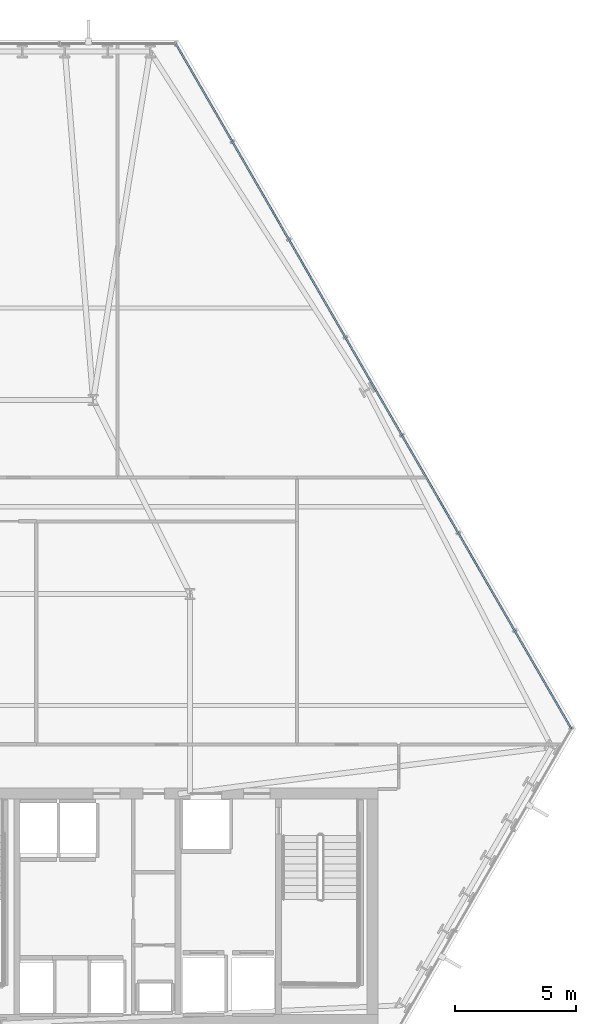
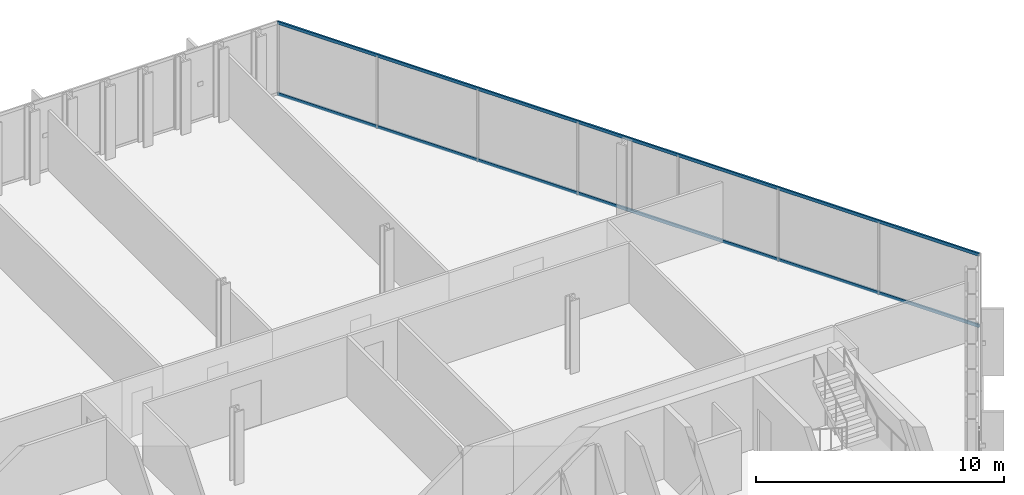
# One storey, part 20 of 33: 2 members, 1 element without a shape of its own.
"""IFC4 building model written with IfcOpenShell, lengths in metres."""

from ifc_helpers import new_model, si_unit, direction, frame, origin, origin_2d, place, context, subcontext, project, spatial, hollow_rectangle, extrude, material, layer, layer_set, material_profile, profile_set, type_object, element, aggregate, save


model = new_model("IFC4")

# Units and contexts
model_context = context("Model", 3, precision=1e-05, world=origin(), true_north=direction((0.0, 1.0)))
body_context = subcontext(model_context, "Body", "Model", "MODEL_VIEW")
ifc_project = project(units=[si_unit("LENGTHUNIT", "METRE"), si_unit("AREAUNIT", "SQUARE_METRE"), si_unit("VOLUMEUNIT", "CUBIC_METRE"), si_unit("PLANEANGLEUNIT", "RADIAN"), si_unit("MASSUNIT", "GRAM", prefix="KILO")], contexts=[model_context])

# Site, building, storey
site_placement = place(None, origin())
site = spatial("IfcSite", under=ifc_project, at=site_placement, CompositionType="ELEMENT")
building_placement = place(site_placement, origin())
building = spatial("IfcBuilding", under=site, at=building_placement, Name="Ndaravel Arena Tower", CompositionType="ELEMENT")
storey_placement = place(building_placement, frame((0.0, 0.0, 85.39990234375)))
storey = spatial("IfcBuildingStorey", under=building, at=storey_placement, Name="L19", CompositionType="ELEMENT", Elevation=85.39990234375)

# Curtain wall, members
ifc_material_1 = material(Name="Aluminium", Category="aluminium")
ifc_layer = layer(ifc_material_1, 0.179931640625)
ifc_layer_set = layer_set([ifc_layer], Name="Aluminium")
curtain_wall_type = type_object("IfcCurtainWallType", Name="CW-SYS-03", PredefinedType="NOTDEFINED", material=ifc_layer_set)
curtain_wall_placement = place(storey_placement, origin())
curtain_wall = element("IfcCurtainWall", 1, at=curtain_wall_placement, inside=storey, type_object=curtain_wall_type, Name="L19 Faceted Crystal Curtain Wall CW-L19-E03", PredefinedType="NOTDEFINED")
ifc_material_2 = material(Name="Aluminium", Category="aluminium")
ifc_material_profile = material_profile(ifc_material_2, hollow_rectangle(XDim=0.074951171875, YDim=0.14990234375, WallThickness=0.00390625, at=origin_2d()), Name="CW TRANSOM 75x150x4")
ifc_profile_set = profile_set([ifc_material_profile], Name="Aluminium")
member_type = type_object("IfcMemberType", Name="MEM-CW-TRN150", PredefinedType="USERDEFINED", material=ifc_profile_set)
member_1_placement = place(storey_placement, frame((65.518798828125, 17.64794921875, 0.0400390625), z_axis=(-0.499995870901, 0.866027787708, 0.0), x_axis=(-0.866027787708, -0.499995870901, 0.0)))
member_1 = element("IfcMember", 2, at=member_1_placement, type_object=member_type, Name="CW-L19-E03 Transom 01", ObjectType="TRANSOM", PredefinedType="USERDEFINED", context=body_context, shape_type="SweptSolid", body=[
    extrude(hollow_rectangle(XDim=0.074951171875, YDim=0.14990234375, WallThickness=0.00390625, at=origin_2d()), origin(), (0.0, 0.0, 1.0), 32.617919921875),
])
member_2_placement = place(storey_placement, frame((65.518798828125, 17.64794921875, 3.5400390625), z_axis=(-0.499995870901, 0.866027787708, 0.0), x_axis=(-0.866027787708, -0.499995870901, 0.0)))
member_2 = element("IfcMember", 3, at=member_2_placement, type_object=member_type, Name="CW-L19-E03 Transom 02", ObjectType="TRANSOM", PredefinedType="USERDEFINED", context=body_context, shape_type="SweptSolid", body=[
    extrude(hollow_rectangle(XDim=0.074951171875, YDim=0.14990234375, WallThickness=0.00390625, at=origin_2d()), origin(), (0.0, 0.0, 1.0), 32.617919921875),
])
aggregate(curtain_wall, [member_1, member_2])

save(model, "model.ifc")
